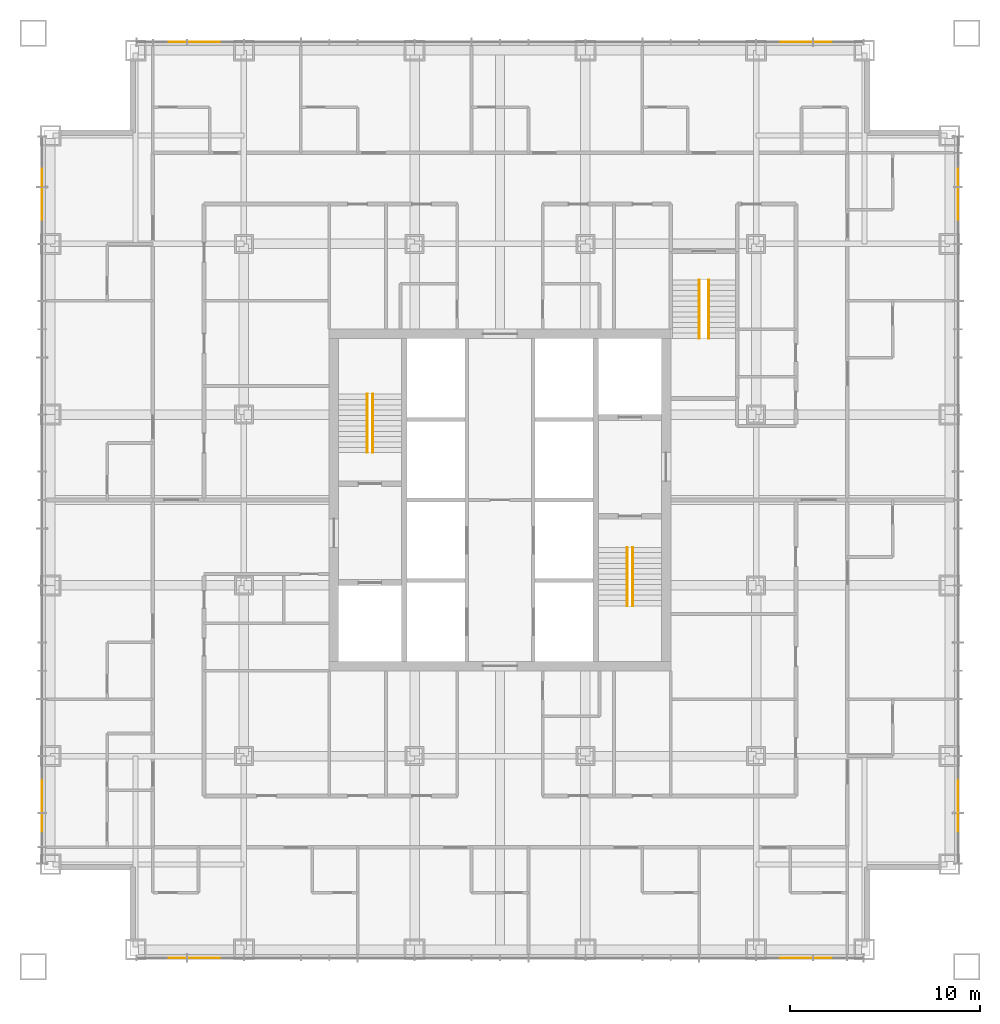
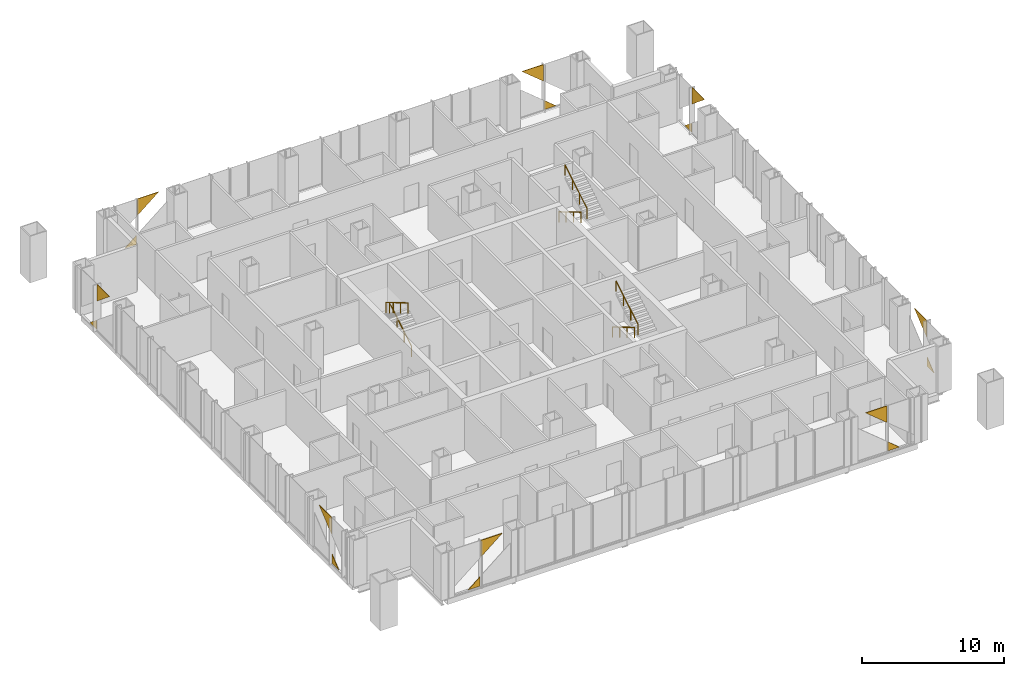
# One storey, part 13 of 13: 16 coverings, 6 railings.
"""IFC4 building model written with IfcOpenShell, lengths in metres."""

from ifc_helpers import new_model, si_unit, direction, frame, origin, origin_2d, place, context, subcontext, project, spatial, polyline, circle, outline, extrude, material, layer, layer_set, type_object, element, save


model = new_model("IFC4")

# Units and contexts
model_context = context("Model", 3, precision=1e-05, world=origin(), true_north=direction((0.0, 1.0)))
body_context = subcontext(model_context, "Body", "Model", "MODEL_VIEW")
ifc_project = project(units=[si_unit("LENGTHUNIT", "METRE"), si_unit("AREAUNIT", "SQUARE_METRE"), si_unit("VOLUMEUNIT", "CUBIC_METRE"), si_unit("PLANEANGLEUNIT", "RADIAN"), si_unit("MASSUNIT", "GRAM", prefix="KILO")], contexts=[model_context])

# Site, building, storey
site_placement = place(None, origin())
site = spatial("IfcSite", under=ifc_project, at=site_placement, CompositionType="ELEMENT")
building_placement = place(site_placement, origin())
building = spatial("IfcBuilding", under=site, at=building_placement, Name="Malebo Sky Hospital", CompositionType="ELEMENT")
storey_placement = place(building_placement, frame((0.0, 0.0, 104.0)))
storey = spatial("IfcBuildingStorey", under=building, at=storey_placement, Name="L24", CompositionType="ELEMENT", Elevation=104.0)

# Coverings
ifc_material_1 = material(Name="Anodised aluminium, natural silver insulated infill panel", Category="aluminium")
ifc_layer = layer(ifc_material_1, 0.0400390625)
ifc_layer_set = layer_set([ifc_layer], Name="BRACE INFILL PANEL 40")
covering_type = type_object("IfcCoveringType", Name="BRACE INFILL PANEL 40", PredefinedType="CLADDING", material=ifc_layer_set)
covering_1_placement = place(storey_placement, frame((42.986572265625, 86.135009765625, 0.099853515625), z_axis=(0.0, 0.0, 1.0), x_axis=(1.0, 0.0, 0.0)))
element("IfcCovering", 1, at=covering_1_placement, inside=storey, type_object=covering_type, Name="Brace infill panel 2.1", PredefinedType="CLADDING", context=body_context, shape_type="SweptSolid", body=[
    extrude(outline(polyline([(-0.47607421875, 0.0), (0.475830078125, 0.0), (0.475830078125, 0.78466796875), (-0.47607421875, 0.0)])), frame((0.0, 0.02001953125, 0.0), z_axis=(0.0, -1.0, 0.0), x_axis=(1.0, 0.0, 0.0)), (0.0, 0.0, 1.0), 0.0400390625),
])
covering_2_placement = place(storey_placement, frame((44.400390625, 86.135009765625, 2.5673828125), z_axis=(0.0, 0.0, 1.0), x_axis=(1.0, 0.0, 0.0)))
element("IfcCovering", 2, at=covering_2_placement, inside=storey, type_object=covering_type, Name="Brace infill panel 3.1", PredefinedType="CLADDING", context=body_context, shape_type="SweptSolid", body=[
    extrude(outline(polyline([(-0.863037109375, 0.0), (0.86279296875, 1.422607421875), (-0.863037109375, 1.422607421875), (-0.863037109375, 0.0)])), frame((0.0, 0.02001953125, 0.0), z_axis=(0.0, -1.0, 0.0), x_axis=(1.0, 0.0, 0.0)), (0.0, 0.0, 1.0), 0.0400390625),
])
covering_3_placement = place(storey_placement, frame((75.599609375, 86.135009765625, 2.5673828125), z_axis=(0.0, 0.0, 1.0), x_axis=(1.0, 0.0, 0.0)))
element("IfcCovering", 3, at=covering_3_placement, inside=storey, type_object=covering_type, Name="Brace infill panel 16.1", PredefinedType="CLADDING", context=body_context, shape_type="SweptSolid", body=[
    extrude(outline(polyline([(0.863037109375, 0.0), (0.863037109375, 1.422607421875), (-0.86279296875, 1.422607421875), (0.863037109375, 0.0)])), frame((0.0, 0.02001953125, 0.0), z_axis=(0.0, -1.0, 0.0), x_axis=(1.0, 0.0, 0.0)), (0.0, 0.0, 1.0), 0.0400390625),
])
covering_4_placement = place(storey_placement, frame((77.013671875, 86.135009765625, 0.099853515625), z_axis=(0.0, 0.0, 1.0), x_axis=(1.0, 0.0, 0.0)))
element("IfcCovering", 4, at=covering_4_placement, inside=storey, type_object=covering_type, Name="Brace infill panel 17.1", PredefinedType="CLADDING", context=body_context, shape_type="SweptSolid", body=[
    extrude(outline(polyline([(-0.47607421875, 0.0), (0.475830078125, 0.0), (-0.47607421875, 0.78466796875), (-0.47607421875, 0.0)])), frame((0.0, 0.02001953125, 0.0), z_axis=(0.0, -1.0, 0.0), x_axis=(1.0, 0.0, 0.0)), (0.0, 0.0, 1.0), 0.0400390625),
])
covering_5_placement = place(storey_placement, frame((35.864990234375, 44.986572265625, 0.099853515625), z_axis=(0.0, 0.0, 1.0), x_axis=(0.0, 1.0, 0.0)))
element("IfcCovering", 5, at=covering_5_placement, inside=storey, type_object=covering_type, Name="Brace infill panel 2.1", PredefinedType="CLADDING", context=body_context, shape_type="SweptSolid", body=[
    extrude(outline(polyline([(-0.47607421875, 0.0), (0.475830078125, 0.0), (0.475830078125, 0.78466796875), (-0.47607421875, 0.0)])), frame((0.0, 0.02001953125, 0.0), z_axis=(0.0, -1.0, 0.0), x_axis=(1.0, 0.0, 0.0)), (0.0, 0.0, 1.0), 0.0400390625),
])
covering_6_placement = place(storey_placement, frame((35.864990234375, 46.400390625, 2.5673828125), z_axis=(0.0, 0.0, 1.0), x_axis=(0.0, 1.0, 0.0)))
element("IfcCovering", 6, at=covering_6_placement, inside=storey, type_object=covering_type, Name="Brace infill panel 3.1", PredefinedType="CLADDING", context=body_context, shape_type="SweptSolid", body=[
    extrude(outline(polyline([(-0.863037109375, 0.0), (0.86279296875, 1.422607421875), (-0.863037109375, 1.422607421875), (-0.863037109375, 0.0)])), frame((0.0, 0.02001953125, 0.0), z_axis=(0.0, -1.0, 0.0), x_axis=(1.0, 0.0, 0.0)), (0.0, 0.0, 1.0), 0.0400390625),
])
covering_7_placement = place(storey_placement, frame((35.864990234375, 77.599609375, 2.5673828125), z_axis=(0.0, 0.0, 1.0), x_axis=(0.0, 1.0, 0.0)))
element("IfcCovering", 7, at=covering_7_placement, inside=storey, type_object=covering_type, Name="Brace infill panel 16.1", PredefinedType="CLADDING", context=body_context, shape_type="SweptSolid", body=[
    extrude(outline(polyline([(0.863037109375, 0.0), (0.863037109375, 1.422607421875), (-0.86279296875, 1.422607421875), (0.863037109375, 0.0)])), frame((0.0, 0.02001953125, 0.0), z_axis=(0.0, -1.0, 0.0), x_axis=(1.0, 0.0, 0.0)), (0.0, 0.0, 1.0), 0.0400390625),
])
covering_8_placement = place(storey_placement, frame((35.864990234375, 79.013671875, 0.099853515625), z_axis=(0.0, 0.0, 1.0), x_axis=(0.0, 1.0, 0.0)))
element("IfcCovering", 8, at=covering_8_placement, inside=storey, type_object=covering_type, Name="Brace infill panel 17.1", PredefinedType="CLADDING", context=body_context, shape_type="SweptSolid", body=[
    extrude(outline(polyline([(-0.47607421875, 0.0), (0.475830078125, 0.0), (-0.47607421875, 0.78466796875), (-0.47607421875, 0.0)])), frame((0.0, 0.02001953125, 0.0), z_axis=(0.0, -1.0, 0.0), x_axis=(1.0, 0.0, 0.0)), (0.0, 0.0, 1.0), 0.0400390625),
])
covering_9_placement = place(storey_placement, frame((77.013427734375, 37.864990234375, 0.099853515625), z_axis=(0.0, 0.0, 1.0), x_axis=(-1.0, 0.0, 0.0)))
element("IfcCovering", 9, at=covering_9_placement, inside=storey, type_object=covering_type, Name="Brace infill panel 2.1", PredefinedType="CLADDING", context=body_context, shape_type="SweptSolid", body=[
    extrude(outline(polyline([(-0.47607421875, 0.0), (0.475830078125, 0.0), (0.475830078125, 0.78466796875), (-0.47607421875, 0.0)])), frame((0.0, 0.02001953125, 0.0), z_axis=(0.0, -1.0, 0.0), x_axis=(1.0, 0.0, 0.0)), (0.0, 0.0, 1.0), 0.0400390625),
])
covering_10_placement = place(storey_placement, frame((75.599609375, 37.864990234375, 2.5673828125), z_axis=(0.0, 0.0, 1.0), x_axis=(-1.0, 0.0, 0.0)))
element("IfcCovering", 10, at=covering_10_placement, inside=storey, type_object=covering_type, Name="Brace infill panel 3.1", PredefinedType="CLADDING", context=body_context, shape_type="SweptSolid", body=[
    extrude(outline(polyline([(-0.863037109375, 0.0), (0.86279296875, 1.422607421875), (-0.863037109375, 1.422607421875), (-0.863037109375, 0.0)])), frame((0.0, 0.02001953125, 0.0), z_axis=(0.0, -1.0, 0.0), x_axis=(1.0, 0.0, 0.0)), (0.0, 0.0, 1.0), 0.0400390625),
])
covering_11_placement = place(storey_placement, frame((44.400390625, 37.864990234375, 2.5673828125), z_axis=(0.0, 0.0, 1.0), x_axis=(-1.0, 0.0, 0.0)))
element("IfcCovering", 11, at=covering_11_placement, inside=storey, type_object=covering_type, Name="Brace infill panel 16.1", PredefinedType="CLADDING", context=body_context, shape_type="SweptSolid", body=[
    extrude(outline(polyline([(0.863037109375, 0.0), (0.863037109375, 1.422607421875), (-0.86279296875, 1.422607421875), (0.863037109375, 0.0)])), frame((0.0, 0.02001953125, 0.0), z_axis=(0.0, -1.0, 0.0), x_axis=(1.0, 0.0, 0.0)), (0.0, 0.0, 1.0), 0.0400390625),
])
covering_12_placement = place(storey_placement, frame((42.986328125, 37.864990234375, 0.099853515625), z_axis=(0.0, 0.0, 1.0), x_axis=(-1.0, 0.0, 0.0)))
element("IfcCovering", 12, at=covering_12_placement, inside=storey, type_object=covering_type, Name="Brace infill panel 17.1", PredefinedType="CLADDING", context=body_context, shape_type="SweptSolid", body=[
    extrude(outline(polyline([(-0.47607421875, 0.0), (0.475830078125, 0.0), (-0.47607421875, 0.78466796875), (-0.47607421875, 0.0)])), frame((0.0, 0.02001953125, 0.0), z_axis=(0.0, -1.0, 0.0), x_axis=(1.0, 0.0, 0.0)), (0.0, 0.0, 1.0), 0.0400390625),
])
covering_13_placement = place(storey_placement, frame((84.135009765625, 79.013427734375, 0.099853515625), z_axis=(0.0, 0.0, 1.0), x_axis=(0.0, -1.0, 0.0)))
element("IfcCovering", 13, at=covering_13_placement, inside=storey, type_object=covering_type, Name="Brace infill panel 2.1", PredefinedType="CLADDING", context=body_context, shape_type="SweptSolid", body=[
    extrude(outline(polyline([(-0.47607421875, 0.0), (0.475830078125, 0.0), (0.475830078125, 0.78466796875), (-0.47607421875, 0.0)])), frame((0.0, 0.02001953125, 0.0), z_axis=(0.0, -1.0, 0.0), x_axis=(1.0, 0.0, 0.0)), (0.0, 0.0, 1.0), 0.0400390625),
])
covering_14_placement = place(storey_placement, frame((84.135009765625, 77.599609375, 2.5673828125), z_axis=(0.0, 0.0, 1.0), x_axis=(0.0, -1.0, 0.0)))
element("IfcCovering", 14, at=covering_14_placement, inside=storey, type_object=covering_type, Name="Brace infill panel 3.1", PredefinedType="CLADDING", context=body_context, shape_type="SweptSolid", body=[
    extrude(outline(polyline([(-0.863037109375, 0.0), (0.86279296875, 1.422607421875), (-0.863037109375, 1.422607421875), (-0.863037109375, 0.0)])), frame((0.0, 0.02001953125, 0.0), z_axis=(0.0, -1.0, 0.0), x_axis=(1.0, 0.0, 0.0)), (0.0, 0.0, 1.0), 0.0400390625),
])
covering_15_placement = place(storey_placement, frame((84.135009765625, 46.400390625, 2.5673828125), z_axis=(0.0, 0.0, 1.0), x_axis=(0.0, -1.0, 0.0)))
element("IfcCovering", 15, at=covering_15_placement, inside=storey, type_object=covering_type, Name="Brace infill panel 16.1", PredefinedType="CLADDING", context=body_context, shape_type="SweptSolid", body=[
    extrude(outline(polyline([(0.863037109375, 0.0), (0.863037109375, 1.422607421875), (-0.86279296875, 1.422607421875), (0.863037109375, 0.0)])), frame((0.0, 0.02001953125, 0.0), z_axis=(0.0, -1.0, 0.0), x_axis=(1.0, 0.0, 0.0)), (0.0, 0.0, 1.0), 0.0400390625),
])
covering_16_placement = place(storey_placement, frame((84.135009765625, 44.986328125, 0.099853515625), z_axis=(0.0, 0.0, 1.0), x_axis=(0.0, -1.0, 0.0)))
element("IfcCovering", 16, at=covering_16_placement, inside=storey, type_object=covering_type, Name="Brace infill panel 17.1", PredefinedType="CLADDING", context=body_context, shape_type="SweptSolid", body=[
    extrude(outline(polyline([(-0.47607421875, 0.0), (0.475830078125, 0.0), (-0.47607421875, 0.78466796875), (-0.47607421875, 0.0)])), frame((0.0, 0.02001953125, 0.0), z_axis=(0.0, -1.0, 0.0), x_axis=(1.0, 0.0, 0.0)), (0.0, 0.0, 1.0), 0.0400390625),
])

# Railings
ifc_material_2 = material(Name="Stainless steel tube", Category="steel")
railing_type = type_object("IfcRailingType", Name="STAIR HANDRAIL 900", PredefinedType="HANDRAIL", material=ifc_material_2)
railing_1_placement = place(storey_placement, frame((53.300048828125, 64.5, 0.166748046875)))
element("IfcRailing", 17, at=railing_1_placement, inside=storey, type_object=railing_type, Name="Stair handrail S1 flight 1", PredefinedType="HANDRAIL", context=body_context, shape_type="SweptSolid", body=[
    extrude(circle(Radius=0.02392578125, at=origin_2d()), frame((0.0, 0.0, 0.8759765625), z_axis=(0.0, 0.859308565015, 0.511457515432), x_axis=(-1.0, 0.0, 0.0)), (0.0, 0.0, 1.0), 3.58447265625),
    extrude(circle(Radius=0.02099609375, at=origin_2d()), origin(), (0.0, 0.0, 1.0), 0.851806640625),
    extrude(circle(Radius=0.02099609375, at=origin_2d()), frame((0.0, 1.026611328125, 0.611083984375)), (0.0, 0.0, 1.0), 0.851806640625),
    extrude(circle(Radius=0.02099609375, at=origin_2d()), frame((0.0, 2.053466796875, 1.22216796875)), (0.0, 0.0, 1.0), 0.851806640625),
    extrude(circle(Radius=0.02099609375, at=origin_2d()), frame((0.0, 3.080078125, 1.833251953125)), (0.0, 0.0, 1.0), 0.851806640625),
])
for number, where, name in (
    (18, (53.0, 67.580078125, 2.166748046875), "Stair handrail S1 flight 2"),
    (19, (66.699951171875, 59.5, 0.166748046875), "Stair handrail S2 flight 1"),
):
    element("IfcRailing", number, at=place(storey_placement, frame(where)), inside=storey, type_object=railing_type, Name=name, PredefinedType="HANDRAIL", context=body_context, shape_type="SweptSolid", body=[
        extrude(circle(Radius=0.02392578125, at=origin_2d()), frame((0.0, 0.0, 0.8759765625), z_axis=(0.0, -0.859308565015, 0.511457515432), x_axis=(1.0, 0.0, 0.0)), (0.0, 0.0, 1.0), 3.58447265625),
        extrude(circle(Radius=0.02099609375, at=origin_2d()), origin(), (0.0, 0.0, 1.0), 0.851806640625),
        extrude(circle(Radius=0.02099609375, at=origin_2d()), frame((0.0, -1.026611328125, 0.611083984375)), (0.0, 0.0, 1.0), 0.851806640625),
        extrude(circle(Radius=0.02099609375, at=origin_2d()), frame((0.0, -2.053466796875, 1.22216796875)), (0.0, 0.0, 1.0), 0.851806640625),
        extrude(circle(Radius=0.02099609375, at=origin_2d()), frame((0.0, -3.080078125, 1.833251953125)), (0.0, 0.0, 1.0), 0.851806640625),
    ])
railing_2_placement = place(storey_placement, frame((67.0, 56.419921875, 2.166748046875)))
element("IfcRailing", 20, at=railing_2_placement, inside=storey, type_object=railing_type, Name="Stair handrail S2 flight 2", PredefinedType="HANDRAIL", context=body_context, shape_type="SweptSolid", body=[
    extrude(circle(Radius=0.02392578125, at=origin_2d()), frame((0.0, 0.0, 0.8759765625), z_axis=(0.0, 0.859308565015, 0.511457515432), x_axis=(-1.0, 0.0, 0.0)), (0.0, 0.0, 1.0), 3.58447265625),
    extrude(circle(Radius=0.02099609375, at=origin_2d()), origin(), (0.0, 0.0, 1.0), 0.851806640625),
    extrude(circle(Radius=0.02099609375, at=origin_2d()), frame((0.0, 1.026611328125, 0.611083984375)), (0.0, 0.0, 1.0), 0.851806640625),
    extrude(circle(Radius=0.02099609375, at=origin_2d()), frame((0.0, 2.053466796875, 1.22216796875)), (0.0, 0.0, 1.0), 0.851806640625),
    extrude(circle(Radius=0.02099609375, at=origin_2d()), frame((0.0, 3.080078125, 1.833251953125)), (0.0, 0.0, 1.0), 0.851806640625),
])
railing_3_placement = place(storey_placement, frame((70.5, 73.60009765625, 0.166748046875)))
element("IfcRailing", 21, at=railing_3_placement, inside=storey, type_object=railing_type, Name="Stair handrail S3 flight 1", PredefinedType="HANDRAIL", context=body_context, shape_type="SweptSolid", body=[
    extrude(circle(Radius=0.02392578125, at=origin_2d()), frame((0.0, 0.0, 0.8759765625), z_axis=(0.0, -0.859308565015, 0.511457515432), x_axis=(1.0, 0.0, 0.0)), (0.0, 0.0, 1.0), 3.58447265625),
    extrude(circle(Radius=0.02099609375, at=origin_2d()), origin(), (0.0, 0.0, 1.0), 0.851806640625),
    extrude(circle(Radius=0.02099609375, at=origin_2d()), frame((0.0, -1.026611328125, 0.611083984375)), (0.0, 0.0, 1.0), 0.851806640625),
    extrude(circle(Radius=0.02099609375, at=origin_2d()), frame((0.0, -2.053466796875, 1.22216796875)), (0.0, 0.0, 1.0), 0.851806640625),
    extrude(circle(Radius=0.02099609375, at=origin_2d()), frame((0.0, -3.080078125, 1.833251953125)), (0.0, 0.0, 1.0), 0.851806640625),
])
railing_4_placement = place(storey_placement, frame((71.0, 70.52001953125, 2.166748046875)))
element("IfcRailing", 22, at=railing_4_placement, inside=storey, type_object=railing_type, Name="Stair handrail S3 flight 2", PredefinedType="HANDRAIL", context=body_context, shape_type="SweptSolid", body=[
    extrude(circle(Radius=0.02392578125, at=origin_2d()), frame((0.0, 0.0, 0.8759765625), z_axis=(0.0, 0.859308565015, 0.511457515432), x_axis=(-1.0, 0.0, 0.0)), (0.0, 0.0, 1.0), 3.58447265625),
    extrude(circle(Radius=0.02099609375, at=origin_2d()), origin(), (0.0, 0.0, 1.0), 0.851806640625),
    extrude(circle(Radius=0.02099609375, at=origin_2d()), frame((0.0, 1.026611328125, 0.611083984375)), (0.0, 0.0, 1.0), 0.851806640625),
    extrude(circle(Radius=0.02099609375, at=origin_2d()), frame((0.0, 2.053466796875, 1.22216796875)), (0.0, 0.0, 1.0), 0.851806640625),
    extrude(circle(Radius=0.02099609375, at=origin_2d()), frame((0.0, 3.080078125, 1.833251953125)), (0.0, 0.0, 1.0), 0.851806640625),
])

save(model, "model.ifc")
